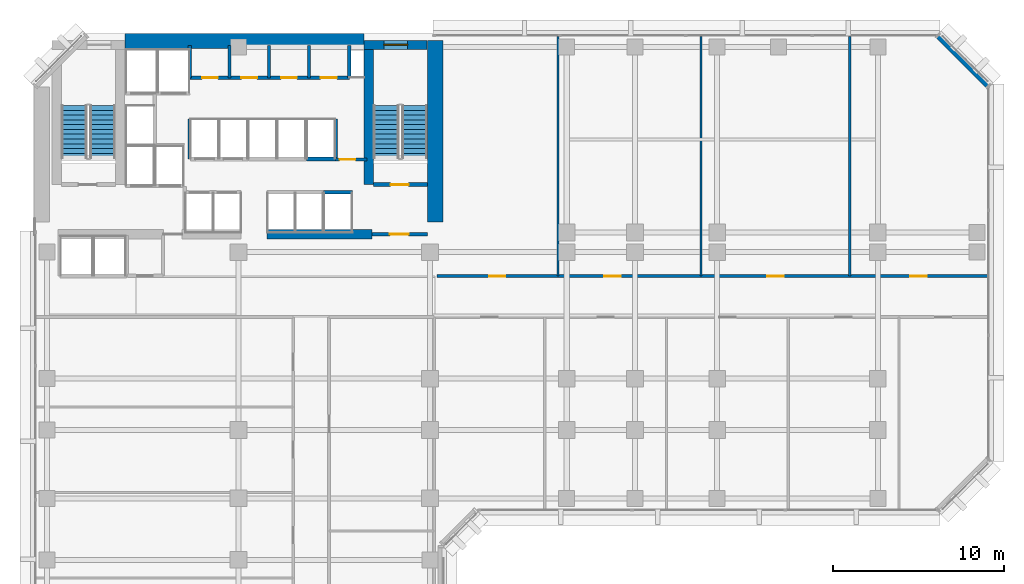
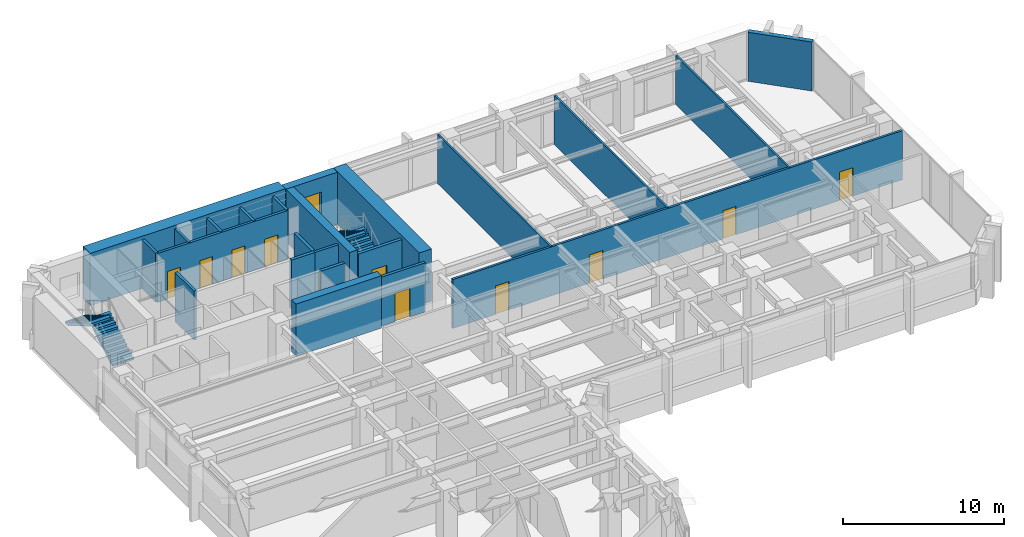
# One storey, part 8 of 13: 23 walls, 11 doors, 4 stair flights, 1 window, 12 openings, 2 elements without a shape of their own.
"""IFC4 building model written with IfcOpenShell, lengths in metres."""

import ifcopenshell
import ifcopenshell.guid

model = None  # the IFC model being written
_history = None  # IfcOwnerHistory: only IFC2X3 demands one
_inside = {}  # id of a spatial element -> (the spatial element, [elements in it])
_under = {}  # id of a project, library or spatial element -> (it, [spatial elements below it])
_declared = {}  # id of a project -> (the project, [libraries it declares])
_typed = {}  # id of a type object -> (the type object, [elements of that type])
_made_of = {}  # id of a material, layer set ... -> (it, [elements and type objects made of it])


def new_model(schema):
    """Start an empty IFC model of exactly this schema.

    Asked for "IFC4X3", IfcOpenShell would pick the latest addendum, in which some entities
    have other attributes; the version numbers below select the first issue.
    IFC2X3 requires an IfcOwnerHistory on every rooted entity: one is made here for all.
    """
    global model, _history
    if schema == "IFC4X3":
        model = ifcopenshell.file(schema_version=(4, 3, 0, 0))
    else:
        model = ifcopenshell.file(schema=schema)
    _inside.clear()
    _under.clear()
    _declared.clear()
    _typed.clear()
    _made_of.clear()
    _history = None
    if model.schema == "IFC2X3":
        org = make("IfcOrganization", Name="unknown")
        user = make(
            "IfcPersonAndOrganization",
            ThePerson=make("IfcPerson", FamilyName="unknown"),
            TheOrganization=org,
        )
        app = make(
            "IfcApplication",
            ApplicationDeveloper=org,
            Version="unknown",
            ApplicationFullName="unknown",
            ApplicationIdentifier="unknown",
        )
        _history = make(
            "IfcOwnerHistory",
            OwningUser=user,
            OwningApplication=app,
            ChangeAction="ADDED",
            CreationDate=0,
        )
    return model


def make(cls, **values):
    """One entity of the class cls with the attributes given. An attribute that is None is left unset."""
    return model.create_entity(
        cls, **{name: value for name, value in values.items() if value is not None}
    )


def rooted(cls, **values):
    """An entity with a GlobalId (a new one), such as an element, a storey or a relation."""
    return make(cls, GlobalId=ifcopenshell.guid.new(), OwnerHistory=_history, **values)


def si_unit(unit_type, name, prefix=None):
    """IfcSIUnit, for example si_unit("LENGTHUNIT", "METRE", prefix="MILLI")."""
    return make("IfcSIUnit", UnitType=unit_type, Prefix=prefix, Name=name)


def assignment(units):
    """IfcUnitAssignment: the units of a project."""
    return None if units is None else make("IfcUnitAssignment", Units=units)


def point(xyz):
    """IfcCartesianPoint."""
    return None if xyz is None else make("IfcCartesianPoint", Coordinates=xyz)


def direction(xyz):
    """IfcDirection."""
    return None if xyz is None else make("IfcDirection", DirectionRatios=xyz)


def frame(location, z_axis=None, x_axis=None):
    """IfcAxis2Placement3D, a coordinate frame: its origin and axes. An axis left out is left unset."""
    return make(
        "IfcAxis2Placement3D",
        Location=point(location),
        Axis=direction(z_axis),
        RefDirection=direction(x_axis),
    )


def frame_2d(location, x_axis=None):
    """IfcAxis2Placement2D, a coordinate frame in the plane: its origin and x axis."""
    return make(
        "IfcAxis2Placement2D", Location=point(location), RefDirection=direction(x_axis)
    )


def origin():
    """The frame at (0, 0, 0) with its axes left unset."""
    return frame((0.0, 0.0, 0.0))


def place(relative_to, where):
    """IfcLocalPlacement: puts the frame where relative to a parent placement (None: the world)."""
    return make(
        "IfcLocalPlacement", PlacementRelTo=relative_to, RelativePlacement=where
    )


def context(
    kind, dimensions, precision=None, world=None, true_north=None, identifier=None
):
    """IfcGeometricRepresentationContext, for example the 3D "Model" context."""
    return make(
        "IfcGeometricRepresentationContext",
        ContextIdentifier=identifier,
        ContextType=kind,
        CoordinateSpaceDimension=dimensions,
        Precision=precision,
        WorldCoordinateSystem=world,
        TrueNorth=true_north,
    )


def subcontext(parent, identifier, kind, view, scale=None):
    """IfcGeometricRepresentationSubContext, for example "Body" below "Model"."""
    return make(
        "IfcGeometricRepresentationSubContext",
        ContextIdentifier=identifier,
        ContextType=kind,
        ParentContext=parent,
        TargetScale=scale,
        TargetView=view,
    )


def project(units=None, contexts=None):
    """IfcProject with its units and contexts."""
    return rooted(
        "IfcProject",
        Name="project",
        RepresentationContexts=contexts,
        UnitsInContext=assignment(units),
    )


def spatial(cls, under=None, at=None, **own):
    """A site, building, storey or space (cls), placed at a placement, below another one or the project."""
    s = rooted(cls, ObjectPlacement=at, **own)
    if under is not None:
        _under.setdefault(under.id(), (under, []))[1].append(s)
    return s


def polyline(points):
    """IfcPolyline through the points."""
    return make("IfcPolyline", Points=[point(p) for p in points])


def profile(cls, at=None, kind="AREA", **sizes):
    """A parametric profile (cls). Its sizes go by their IFC names, for example OverallWidth=200.0."""
    return make(cls, ProfileType=kind, Position=at, **sizes)


def rectangle(**sizes):
    """IfcRectangleProfileDef."""
    return profile("IfcRectangleProfileDef", **sizes)


def outline(outer, holes=None, kind="AREA"):
    """IfcArbitraryClosedProfileDef: a profile drawn as a closed curve; with holes, ...WithVoids."""
    if holes is None:
        return make("IfcArbitraryClosedProfileDef", ProfileType=kind, OuterCurve=outer)
    return make(
        "IfcArbitraryProfileDefWithVoids",
        ProfileType=kind,
        OuterCurve=outer,
        InnerCurves=holes,
    )


def extrude(swept, where, along, depth):
    """IfcExtrudedAreaSolid: the profile swept, set in the frame where, extruded along a direction by depth."""
    return make(
        "IfcExtrudedAreaSolid",
        SweptArea=swept,
        Position=where,
        ExtrudedDirection=direction(along),
        Depth=depth,
    )


def shape(context_of_items, identifier, shape_type, items):
    """IfcShapeRepresentation: the items that make up one representation, for example the "Body"."""
    return make(
        "IfcShapeRepresentation",
        ContextOfItems=context_of_items,
        RepresentationIdentifier=identifier,
        RepresentationType=shape_type,
        Items=items,
    )


def material(Name=None, Category=None):
    """IfcMaterial."""
    return make("IfcMaterial", Name=Name, Category=Category)


def layer(
    of_material, thickness, ventilated=None, Name=None, Category=None, Priority=None
):
    """IfcMaterialLayer: one layer of a wall or slab, of a material (None: an air gap)."""
    return make(
        "IfcMaterialLayer",
        Material=of_material,
        LayerThickness=thickness,
        IsVentilated=ventilated,
        Name=Name,
        Category=Category,
        Priority=Priority,
    )


def layer_set(layers, Name=None):
    """IfcMaterialLayerSet."""
    return make("IfcMaterialLayerSet", MaterialLayers=layers, LayerSetName=Name)


def made_of(thing, what):
    """Note that an element or type object is made of a material, layer set ...; save() writes the relation."""
    if what is not None:
        _made_of.setdefault(what.id(), (what, []))[1].append(thing)
    return thing


def type_object(cls, material=None, **own):
    """A type object (cls), such as IfcWallType, which elements share."""
    return made_of(rooted(cls, **own), material)


def element(
    cls,
    number,
    at=None,
    inside=None,
    cuts=None,
    type_object=None,
    material=None,
    context=None,
    identifier="Body",
    shape_type=None,
    held_by="IfcProductDefinitionShape",
    body=None,
    shapes=None,
    **own,
):
    """One element of the class cls, such as IfcWall. Its Tag is "e" and its number.

    at: its placement. inside: the storey or other place that contains it. cuts: it is an
    opening in that element (IfcRelVoidsElement). A single representation is given by context,
    identifier, shape_type and body (its items); several are given by shapes. held_by: the class
    of the entity that holds the representations. save() writes the other relations.
    """
    e = rooted(cls, Tag="e%d" % number, ObjectPlacement=at, **own)
    if body is not None:
        shapes = [shape(context, identifier, shape_type, body)]
    if shapes is not None:
        e.Representation = make(held_by, Representations=shapes)
    if inside is not None:
        _inside.setdefault(inside.id(), (inside, []))[1].append(e)
    if cuts is not None:
        rooted(
            "IfcRelVoidsElement", RelatingBuildingElement=cuts, RelatedOpeningElement=e
        )
    if type_object is not None:
        _typed.setdefault(type_object.id(), (type_object, []))[1].append(e)
    return made_of(e, material)


def fill(opening, filler):
    """IfcRelFillsElement: the door or window that sits in an opening."""
    return rooted(
        "IfcRelFillsElement",
        RelatingOpeningElement=opening,
        RelatedBuildingElement=filler,
    )


def aggregate(whole, parts):
    """IfcRelAggregates: a whole, such as a stair, and the parts it consists of."""
    return rooted("IfcRelAggregates", RelatingObject=whole, RelatedObjects=parts)


def save(model, path):
    """Write the relations noted so far, then the file.

    IfcRelAggregates (storeys below a building ...), IfcRelContainedInSpatialStructure (elements
    in a storey), IfcRelDefinesByType, IfcRelAssociatesMaterial and IfcRelDeclares: one each for
    every whole, place, type object, material and project.
    """
    for whole, parts in _under.values():
        aggregate(whole, parts)
    for where, things in _inside.values():
        rooted(
            "IfcRelContainedInSpatialStructure",
            RelatedElements=things,
            RelatingStructure=where,
        )
    for kind, things in _typed.values():
        rooted("IfcRelDefinesByType", RelatedObjects=things, RelatingType=kind)
    for what, things in _made_of.values():
        rooted("IfcRelAssociatesMaterial", RelatedObjects=things, RelatingMaterial=what)
    for by, libraries in _declared.values():
        rooted("IfcRelDeclares", RelatingContext=by, RelatedDefinitions=libraries)
    model.write(path)


model = new_model("IFC4")

# Units and contexts
model_context = context("Model", 3, precision=1e-05, world=origin(), true_north=direction((0.0, 1.0)))
body_context = subcontext(model_context, "Body", "Model", "MODEL_VIEW")
ifc_project = project(units=[si_unit("LENGTHUNIT", "METRE"), si_unit("AREAUNIT", "SQUARE_METRE"), si_unit("VOLUMEUNIT", "CUBIC_METRE"), si_unit("PLANEANGLEUNIT", "RADIAN"), si_unit("MASSUNIT", "GRAM", prefix="KILO")], contexts=[model_context])

# Site, building, storey
site_placement = place(None, origin())
site = spatial("IfcSite", under=ifc_project, at=site_placement, CompositionType="ELEMENT")
building_placement = place(site_placement, origin())
building = spatial("IfcBuilding", under=site, at=building_placement, Name="Kefirva Bronze Tower", CompositionType="ELEMENT")
storey_placement = place(building_placement, frame((0.0, 0.0, 58.080078125)))
storey = spatial("IfcBuildingStorey", under=building, at=storey_placement, Name="L13", CompositionType="ELEMENT", Elevation=58.080078125)

# Walls
ifc_material_1 = material(Name="Gypsum acoustic partition")
ifc_layer_1 = layer(ifc_material_1, 0.1298828125, Name="Gypsum acoustic partition")
ifc_layer_set_1 = layer_set([ifc_layer_1], Name="Gypsum acoustic partition")
wall_type_1 = type_object("IfcWallType", Name="Acoustic Office Partition 130mm", PredefinedType="PARTITIONING", material=ifc_layer_set_1)
for number, where, z_axis, x_axis, name in (
    (1, (30.686279296875, 31.800048828125, 0.0), (0.0, 0.0, 1.0), (0.0, 1.0, 0.0), "L13 Partition W-L13-END1"),
    (2, (39.060791015625, 31.800048828125, 0.0), (0.0, 0.0, 1.0), (0.0, 1.0, 0.0), "L13 Partition W-L13-END2"),
    (3, (47.757568359375, 31.800048828125, 0.0), (0.0, 0.0, 1.0), (0.0, 1.0, 0.0), "L13 Partition W-L13-END3"),
):
    element("IfcWall", number, at=place(storey_placement, frame(where, z_axis=z_axis, x_axis=x_axis)), inside=storey, type_object=wall_type_1, Name=name, PredefinedType="PARTITIONING", context=body_context, shape_type="SweptSolid", body=[
        extrude(rectangle(XDim=14.010009765625, YDim=0.1298828125, at=frame_2d((7.0048828125, 0.0))), origin(), (0.0, 0.0, 1.0), 3.7099609375),
    ])

# Wall, opening, door
ifc_material_2 = material(Name="Gypsum fireboard shaftwall")
ifc_layer_2 = layer(ifc_material_2, 0.219970703125, Name="Gypsum fireboard shaftwall")
ifc_layer_set_2 = layer_set([ifc_layer_2], Name="Gypsum fireboard shaftwall")
wall_type_2 = type_object("IfcWallType", Name="Fire-Rated Shaft Enclosure Wall 220mm", PredefinedType="PARTITIONING", material=ifc_layer_set_2)
wall_1_placement = place(storey_placement, frame((19.89990234375, 37.14990234375, 0.0), z_axis=(0.0, 0.0, 1.0), x_axis=(1.0, 0.0, 0.0)))
wall_1 = element("IfcWall", 4, at=wall_1_placement, inside=storey, type_object=wall_type_2, Name="L13 Partition W-L13-ST2S", PredefinedType="PARTITIONING", context=body_context, shape_type="SweptSolid", body=[
    extrude(rectangle(XDim=3.150146484375, YDim=0.219970703125, at=frame_2d((1.5751953125, 0.0))), origin(), (0.0, 0.0, 1.0), 3.7099609375),
])
opening_1_placement = place(wall_1_placement, frame((2.050048828125, 0.0, 0.0), z_axis=(0.0, 0.0, 1.0), x_axis=(-1.0, 0.0, 0.0)))
opening_1 = element("IfcOpeningElement", 5, at=opening_1_placement, cuts=wall_1, Name="Opening L13-D003", PredefinedType="OPENING", context=body_context, shape_type="SweptSolid", body=[
    extrude(rectangle(XDim=1.050048828125, YDim=2.14990234375, at=frame_2d((0.52490234375, 1.074951171875))), frame((0.0, 0.1201171875, 0.0), z_axis=(0.0, -1.0, 0.0), x_axis=(1.0, 0.0, 0.0)), (0.0, 0.0, 1.0), 0.239990234375),
])
ifc_material_3 = material(Name="Painted galvanized steel", Category="steel")
door_type_1 = type_object("IfcDoorType", Name="Fire Stair Enclosure Door 1050x2150 FD90S", OperationType="NOTDEFINED", PredefinedType="DOOR", material=ifc_material_3)
door_1_placement = place(opening_1_placement, origin())
door_1 = element("IfcDoor", 6, at=door_1_placement, inside=storey, type_object=door_type_1, Name="Door L13-D003", OperationType="SINGLE_SWING_LEFT", OverallHeight=2.14990234375, OverallWidth=1.050048828125, PredefinedType="DOOR", context=body_context, shape_type="SweptSolid", body=[
    extrude(rectangle(XDim=1.050048828125, YDim=2.14990234375, at=frame_2d((0.52490234375, 1.074951171875))), frame((0.0, 0.02490234375, 0.0), z_axis=(0.0, -1.0, 0.0), x_axis=(1.0, 0.0, 0.0)), (0.0, 0.0, 1.0), 0.050048828125),
])
fill(opening_1, door_1)

# Walls
for number, where, z_axis, x_axis, name in (
    (7, (9.159912109375, 38.64990234375, 0.0), (0.0, 0.0, 1.0), (0.0, 1.0, 0.0), "L13 Partition W-L13-LP3W"),
    (8, (17.679931640625, 38.64990234375, 0.0), (0.0, 0.0, 1.0), (0.0, 1.0, 0.0), "L13 Partition W-L13-HP2E"),
):
    element("IfcWall", number, at=place(storey_placement, frame(where, z_axis=z_axis, x_axis=x_axis)), inside=storey, type_object=wall_type_2, Name=name, PredefinedType="PARTITIONING", context=body_context, shape_type="SweptSolid", body=[
        extrude(rectangle(XDim=2.35009765625, YDim=0.199951171875, at=frame_2d((1.175048828125, 0.0))), origin(), (0.0, 0.0, 1.0), 3.7099609375),
    ])
wall_2_placement = place(storey_placement, frame((16.97998046875, 36.699951171875, 0.0), z_axis=(0.0, 0.0, 1.0), x_axis=(1.0, 0.0, 0.0)))
element("IfcWall", 9, at=wall_2_placement, inside=storey, type_object=wall_type_2, Name="L13 Partition W-L13-HPS", PredefinedType="PARTITIONING", context=body_context, shape_type="SweptSolid", body=[
    extrude(rectangle(XDim=1.699951171875, YDim=0.219970703125, at=frame_2d((0.85009765625, 0.0))), origin(), (0.0, 0.0, 1.0), 3.7099609375),
])
wall_3_placement = place(storey_placement, frame((15.97998046875, 38.64990234375, 0.0), z_axis=(0.0, 0.0, 1.0), x_axis=(1.0, 0.0, 0.0)))
element("IfcWall", 10, at=wall_3_placement, inside=storey, type_object=wall_type_2, Name="L13 Partition W-L13-HPN", PredefinedType="PARTITIONING", context=body_context, shape_type="SweptSolid", body=[
    extrude(rectangle(XDim=1.719970703125, YDim=0.219970703125, at=frame_2d((0.85986328125, 0.0))), origin(), (0.0, 0.0, 1.0), 3.7099609375),
])

# Wall, opening, door
ifc_material_4 = material(Name="Gypsum fireboard barrier")
ifc_layer_3 = layer(ifc_material_4, 0.199951171875, Name="Gypsum fireboard barrier")
ifc_layer_set_3 = layer_set([ifc_layer_3], Name="Gypsum fireboard barrier")
wall_type_3 = type_object("IfcWallType", Name="Firefighting Lobby Barrier Wall 200mm", PredefinedType="PARTITIONING", material=ifc_layer_set_3)
wall_4_placement = place(storey_placement, frame((19.800048828125, 34.25, 0.0), z_axis=(0.0, 0.0, 1.0), x_axis=(1.0, 0.0, 0.0)))
wall_4 = element("IfcWall", 11, at=wall_4_placement, inside=storey, type_object=wall_type_3, Name="L13 Partition W-L13-ST2F", PredefinedType="PARTITIONING", context=body_context, shape_type="SweptSolid", body=[
    extrude(rectangle(XDim=3.25, YDim=0.199951171875, at=frame_2d((1.625, 0.0))), origin(), (0.0, 0.0, 1.0), 3.7099609375),
])
opening_2_placement = place(wall_4_placement, frame((2.150146484375, 0.0, 0.0), z_axis=(0.0, 0.0, 1.0), x_axis=(-1.0, 0.0, 0.0)))
opening_2 = element("IfcOpeningElement", 12, at=opening_2_placement, cuts=wall_4, Name="Opening L13-D004", PredefinedType="OPENING", context=body_context, shape_type="SweptSolid", body=[
    extrude(rectangle(XDim=1.10009765625, YDim=2.14990234375, at=frame_2d((0.550048828125, 1.074951171875))), frame((0.0, 0.10986328125, 0.0), z_axis=(0.0, -1.0, 0.0), x_axis=(1.0, 0.0, 0.0)), (0.0, 0.0, 1.0), 0.219970703125),
])
door_type_2 = type_object("IfcDoorType", Name="Firefighting Lobby Smoke Door 1100x2150 FD60S", OperationType="NOTDEFINED", PredefinedType="DOOR", material=ifc_material_3)
door_2_placement = place(opening_2_placement, origin())
door_2 = element("IfcDoor", 13, at=door_2_placement, inside=storey, type_object=door_type_2, Name="Door L13-D004", OperationType="SINGLE_SWING_RIGHT", OverallHeight=2.14990234375, OverallWidth=1.10009765625, PredefinedType="DOOR", context=body_context, shape_type="SweptSolid", body=[
    extrude(rectangle(XDim=1.10009765625, YDim=2.14990234375, at=frame_2d((0.550048828125, 1.074951171875))), frame((0.0, 0.02490234375, 0.0), z_axis=(0.0, -1.0, 0.0), x_axis=(1.0, 0.0, 0.0)), (0.0, 0.0, 1.0), 0.050048828125),
])
fill(opening_2, door_2)

wall_5_placement = place(storey_placement, frame((17.679931640625, 38.6201171875, 0.0), z_axis=(0.0, 0.0, 1.0), x_axis=(1.0, 0.0, 0.0)))
wall_5 = element("IfcWall", 14, at=wall_5_placement, inside=storey, type_object=wall_type_3, Name="L13 Partition W-L13-CPASS", PredefinedType="PARTITIONING", context=body_context, shape_type="SweptSolid", body=[
    extrude(rectangle(XDim=1.840087890625, YDim=0.179931640625, at=frame_2d((0.919921875, 0.0))), origin(), (0.0, 0.0, 1.0), 3.7099609375),
])
opening_3_placement = place(wall_5_placement, frame((0.239990234375, 0.0, 0.0)))
opening_3 = element("IfcOpeningElement", 15, at=opening_3_placement, cuts=wall_5, Name="Opening L13-D-CPAS", PredefinedType="OPENING", context=body_context, shape_type="SweptSolid", body=[
    extrude(rectangle(XDim=0.919921875, YDim=2.10009765625, at=frame_2d((0.4599609375, 1.050048828125))), frame((0.0, 0.10009765625, 0.0), z_axis=(0.0, -1.0, 0.0), x_axis=(1.0, 0.0, 0.0)), (0.0, 0.0, 1.0), 0.199951171875),
])
ifc_material_5 = material(Name="Moisture-resistant timber", Category="wood")
door_type_3 = type_object("IfcDoorType", Name="Accessible Sanitary & WC Door 920x2100", OperationType="NOTDEFINED", PredefinedType="DOOR", material=ifc_material_5)
door_3_placement = place(opening_3_placement, origin())
door_3 = element("IfcDoor", 16, at=door_3_placement, inside=storey, type_object=door_type_3, Name="Door L13-D-CPAS", OperationType="SINGLE_SWING_LEFT", OverallHeight=2.10009765625, OverallWidth=0.919921875, PredefinedType="DOOR", context=body_context, shape_type="SweptSolid", body=[
    extrude(rectangle(XDim=0.919921875, YDim=2.10009765625, at=frame_2d((0.4599609375, 1.050048828125))), frame((0.0, 0.02490234375, 0.0), z_axis=(0.0, -1.0, 0.0), x_axis=(1.0, 0.0, 0.0)), (0.0, 0.0, 1.0), 0.050048828125),
])
fill(opening_3, door_3)

# Wall
ifc_material_6 = material(Name="Precast concrete C40/50", Category="concrete")
ifc_layer_4 = layer(ifc_material_6, 0.320068359375, Name="Precast concrete C40/50")
ifc_layer_set_4 = layer_set([ifc_layer_4], Name="Precast concrete C40/50")
wall_type_4 = type_object("IfcWallType", Name="Precast Insulated Exterior Wall 320mm", PredefinedType="SOLIDWALL", material=ifc_layer_set_4)
wall_6_placement = place(storey_placement, frame((55.847900390625, 42.92578125, 0.0), z_axis=(0.0, 0.0, 1.0), x_axis=(-0.707106781187, 0.707106781187, 0.0)))
element("IfcWall", 17, at=wall_6_placement, inside=storey, type_object=wall_type_4, Name="L13 Exterior Facade Wall 5", PredefinedType="SOLIDWALL", context=body_context, shape_type="SweptSolid", body=[
    extrude(rectangle(XDim=4.132568359375, YDim=0.320068359375, at=frame_2d((2.06640625, 0.0))), origin(), (0.0, 0.0, 1.0), 3.7099609375),
])

# Wall, openings, doors
ifc_layer_5 = layer(ifc_material_1, 0.159912109375, Name="Gypsum acoustic partition")
ifc_layer_set_5 = layer_set([ifc_layer_5], Name="Gypsum acoustic partition")
wall_type_5 = type_object("IfcWallType", Name="Protected Corridor Partition 160mm", PredefinedType="PARTITIONING", material=ifc_layer_set_5)
wall_7_placement = place(storey_placement, frame((23.60009765625, 31.800048828125, 0.0), z_axis=(0.0, 0.0, 1.0), x_axis=(1.0, 0.0, 0.0)))
wall_7 = element("IfcWall", 18, at=wall_7_placement, inside=storey, type_object=wall_type_5, Name="L13 Partition W-L13-EWN", PredefinedType="PARTITIONING", context=body_context, shape_type="SweptSolid", body=[
    extrude(rectangle(XDim=32.2099609375, YDim=0.159912109375, at=frame_2d((16.10498046875, 0.0))), origin(), (0.0, 0.0, 1.0), 3.7099609375),
])
opening_4_placement = place(wall_7_placement, frame((3.068115234375, 0.0, 0.0)))
opening_4 = element("IfcOpeningElement", 19, at=opening_4_placement, cuts=wall_7, Name="Opening L13-D-EN1", PredefinedType="OPENING", context=body_context, shape_type="SweptSolid", body=[
    extrude(rectangle(XDim=0.949951171875, YDim=2.14990234375, at=frame_2d((0.47509765625, 1.074951171875))), frame((0.0, 0.08984375, 0.0), z_axis=(0.0, -1.0, 0.0), x_axis=(1.0, 0.0, 0.0)), (0.0, 0.0, 1.0), 0.179931640625),
])
opening_5_placement = place(wall_7_placement, frame((9.798583984375, 0.0, 0.0)))
opening_5 = element("IfcOpeningElement", 20, at=opening_5_placement, cuts=wall_7, Name="Opening L13-D-EN2", PredefinedType="OPENING", context=body_context, shape_type="SweptSolid", body=[
    extrude(rectangle(XDim=0.949951171875, YDim=2.14990234375, at=frame_2d((0.47509765625, 1.074951171875))), frame((0.0, 0.08984375, 0.0), z_axis=(0.0, -1.0, 0.0), x_axis=(1.0, 0.0, 0.0)), (0.0, 0.0, 1.0), 0.179931640625),
])
opening_6_placement = place(wall_7_placement, frame((19.333984375, 0.0, 0.0)))
opening_6 = element("IfcOpeningElement", 21, at=opening_6_placement, cuts=wall_7, Name="Opening L13-D-EN3", PredefinedType="OPENING", context=body_context, shape_type="SweptSolid", body=[
    extrude(rectangle(XDim=0.949951171875, YDim=2.14990234375, at=frame_2d((0.47509765625, 1.074951171875))), frame((0.0, 0.08984375, 0.0), z_axis=(0.0, -1.0, 0.0), x_axis=(1.0, 0.0, 0.0)), (0.0, 0.0, 1.0), 0.179931640625),
])
opening_7_placement = place(wall_7_placement, frame((27.708740234375, 0.0, 0.0)))
opening_7 = element("IfcOpeningElement", 22, at=opening_7_placement, cuts=wall_7, Name="Opening L13-D-EN4", PredefinedType="OPENING", context=body_context, shape_type="SweptSolid", body=[
    extrude(rectangle(XDim=0.949951171875, YDim=2.14990234375, at=frame_2d((0.47509765625, 1.074951171875))), frame((0.0, 0.08984375, 0.0), z_axis=(0.0, -1.0, 0.0), x_axis=(1.0, 0.0, 0.0)), (0.0, 0.0, 1.0), 0.179931640625),
])
ifc_material_7 = material(Name="Acoustic hardwood oak", Category="wood")
door_type_4 = type_object("IfcDoorType", Name="Office & Meeting Room Door 950x2150", OperationType="NOTDEFINED", PredefinedType="DOOR", material=ifc_material_7)
door_4_placement = place(opening_4_placement, origin())
door_4 = element("IfcDoor", 23, at=door_4_placement, inside=storey, type_object=door_type_4, Name="Door L13-D-EN1", OperationType="SINGLE_SWING_RIGHT", OverallHeight=2.14990234375, OverallWidth=0.949951171875, PredefinedType="DOOR", context=body_context, shape_type="SweptSolid", body=[
    extrude(rectangle(XDim=0.949951171875, YDim=2.14990234375, at=frame_2d((0.47509765625, 1.074951171875))), frame((0.0, 0.02490234375, 0.0), z_axis=(0.0, -1.0, 0.0), x_axis=(1.0, 0.0, 0.0)), (0.0, 0.0, 1.0), 0.050048828125),
])
fill(opening_4, door_4)
door_5_placement = place(opening_5_placement, origin())
door_5 = element("IfcDoor", 24, at=door_5_placement, inside=storey, type_object=door_type_4, Name="Door L13-D-EN2", OperationType="SINGLE_SWING_LEFT", OverallHeight=2.14990234375, OverallWidth=0.949951171875, PredefinedType="DOOR", context=body_context, shape_type="SweptSolid", body=[
    extrude(rectangle(XDim=0.949951171875, YDim=2.14990234375, at=frame_2d((0.47509765625, 1.074951171875))), frame((0.0, 0.02490234375, 0.0), z_axis=(0.0, -1.0, 0.0), x_axis=(1.0, 0.0, 0.0)), (0.0, 0.0, 1.0), 0.050048828125),
])
fill(opening_5, door_5)
door_6_placement = place(opening_6_placement, origin())
door_6 = element("IfcDoor", 25, at=door_6_placement, inside=storey, type_object=door_type_4, Name="Door L13-D-EN3", OperationType="SINGLE_SWING_RIGHT", OverallHeight=2.14990234375, OverallWidth=0.949951171875, PredefinedType="DOOR", context=body_context, shape_type="SweptSolid", body=[
    extrude(rectangle(XDim=0.949951171875, YDim=2.14990234375, at=frame_2d((0.47509765625, 1.074951171875))), frame((0.0, 0.02490234375, 0.0), z_axis=(0.0, -1.0, 0.0), x_axis=(1.0, 0.0, 0.0)), (0.0, 0.0, 1.0), 0.050048828125),
])
fill(opening_6, door_6)
door_7_placement = place(opening_7_placement, origin())
door_7 = element("IfcDoor", 26, at=door_7_placement, inside=storey, type_object=door_type_4, Name="Door L13-D-EN4", OperationType="SINGLE_SWING_LEFT", OverallHeight=2.14990234375, OverallWidth=0.949951171875, PredefinedType="DOOR", context=body_context, shape_type="SweptSolid", body=[
    extrude(rectangle(XDim=0.949951171875, YDim=2.14990234375, at=frame_2d((0.47509765625, 1.074951171875))), frame((0.0, 0.02490234375, 0.0), z_axis=(0.0, -1.0, 0.0), x_axis=(1.0, 0.0, 0.0)), (0.0, 0.0, 1.0), 0.050048828125),
])
fill(opening_7, door_7)

# Wall, opening, window
ifc_material_8 = material(Name="Concrete C50/60", Category="concrete")
ifc_layer_6 = layer(ifc_material_8, 0.550048828125, Name="Concrete C50/60")
ifc_layer_set_6 = layer_set([ifc_layer_6], Name="Concrete C50/60")
wall_type_6 = type_object("IfcWallType", Name="RC Rear Core Exterior Wall 550mm", PredefinedType="SHEAR", material=ifc_layer_set_6)
wall_8_placement = place(storey_placement, frame((19.35009765625, 45.320068359375, 0.0), z_axis=(0.0, 0.0, 1.0), x_axis=(1.0, 0.0, 0.0)))
wall_8 = element("IfcWall", 27, at=wall_8_placement, inside=storey, type_object=wall_type_6, Name="L13 Stair 2 North Shear Wall", PredefinedType="SHEAR", context=body_context, shape_type="SweptSolid", body=[
    extrude(rectangle(XDim=3.68994140625, YDim=0.550048828125, at=frame_2d((1.844970703125, 0.0))), origin(), (0.0, 0.0, 1.0), 3.9599609375),
])
opening_8_placement = place(wall_8_placement, frame((1.14990234375, 0.0, 1.050048828125)))
opening_8 = element("IfcOpeningElement", 28, at=opening_8_placement, cuts=wall_8, Name="Opening WN-03", PredefinedType="OPENING", context=body_context, shape_type="SweptSolid", body=[
    extrude(rectangle(XDim=1.39990234375, YDim=1.800048828125, at=frame_2d((0.699951171875, 0.89990234375))), frame((0.0, 0.28515625, 0.0), z_axis=(0.0, -1.0, 0.0), x_axis=(1.0, 0.0, 0.0)), (0.0, 0.0, 1.0), 0.570068359375),
])
ifc_material_9 = material(Name="Laminated low-E double glazing", Category="glass")
window_type = type_object("IfcWindowType", Name="Rear-Core Stair Daylight Window 1400x1800", PartitioningType="SINGLE_PANEL", PredefinedType="WINDOW", material=ifc_material_9)
window_placement = place(opening_8_placement, origin())
window = element("IfcWindow", 29, at=window_placement, inside=storey, type_object=window_type, Name="L13 Stair 2 Daylight Window", OverallHeight=1.800048828125, OverallWidth=1.39990234375, PartitioningType="SINGLE_PANEL", PredefinedType="WINDOW", context=body_context, shape_type="SweptSolid", body=[
    extrude(rectangle(XDim=1.39990234375, YDim=1.800048828125, at=frame_2d((0.699951171875, 0.89990234375))), frame((0.0, 0.030029296875, 0.0), z_axis=(0.0, -1.0, 0.0), x_axis=(1.0, 0.0, 0.0)), (0.0, 0.0, 1.0), 0.06005859375),
])
fill(opening_8, window)

# Walls
ifc_material_10 = material(Name="Concrete C60/75", Category="concrete")
ifc_layer_7 = layer(ifc_material_10, 0.89990234375, Name="Concrete C60/75")
ifc_layer_set_7 = layer_set([ifc_layer_7], Name="Concrete C60/75")
wall_type_7 = type_object("IfcWallType", Name="RC Rear Core Exterior Wall 900mm", PredefinedType="SHEAR", material=ifc_layer_set_7)
wall_9_placement = place(storey_placement, frame((5.360107421875, 45.550048828125, 0.0), z_axis=(0.0, 0.0, 1.0), x_axis=(1.0, 0.0, 0.0)))
element("IfcWall", 30, at=wall_9_placement, inside=storey, type_object=wall_type_7, Name="L13 Rear Core North Shear Wall", PredefinedType="SHEAR", context=body_context, shape_type="SweptSolid", body=[
    extrude(rectangle(XDim=13.97998046875, YDim=0.89990234375, at=frame_2d((6.989990234375, 0.0))), origin(), (0.0, 0.0, 1.0), 3.9599609375),
])
ifc_layer_8 = layer(ifc_material_8, 0.550048828125, Name="Concrete C50/60")
ifc_layer_set_8 = layer_set([ifc_layer_8], Name="Concrete C50/60")
wall_type_8 = type_object("IfcWallType", Name="RC Rear Core Interior Wall 550mm", PredefinedType="SHEAR", material=ifc_layer_set_8)
wall_10_placement = place(storey_placement, frame((19.6201171875, 37.14990234375, 0.0), z_axis=(0.0, 0.0, 1.0), x_axis=(0.0, 1.0, 0.0)))
element("IfcWall", 31, at=wall_10_placement, inside=storey, type_object=wall_type_8, Name="L13 Stair 2 West Shear Wall", PredefinedType="SHEAR", context=body_context, shape_type="SweptSolid", body=[
    extrude(rectangle(XDim=7.89013671875, YDim=0.550048828125, at=frame_2d((3.945068359375, 0.0))), origin(), (0.0, 0.0, 1.0), 3.9599609375),
])
ifc_layer_9 = layer(ifc_material_10, 0.89990234375, Name="Concrete C60/75")
ifc_layer_set_9 = layer_set([ifc_layer_9], Name="Concrete C60/75")
wall_type_9 = type_object("IfcWallType", Name="RC Rear Core Interior Wall 900mm", PredefinedType="SHEAR", material=ifc_layer_set_9)
wall_11_placement = place(storey_placement, frame((23.5, 34.949951171875, 0.0), z_axis=(0.0, 0.0, 1.0), x_axis=(0.0, 1.0, 0.0)))
element("IfcWall", 32, at=wall_11_placement, inside=storey, type_object=wall_type_9, Name="L13 Rear Core East Shear Wall", PredefinedType="SHEAR", context=body_context, shape_type="SweptSolid", body=[
    extrude(rectangle(XDim=10.64013671875, YDim=0.89990234375, at=frame_2d((5.320068359375, 0.0))), origin(), (0.0, 0.0, 1.0), 3.9599609375),
])
wall_12_placement = place(storey_placement, frame((13.679931640625, 34.25, 0.0), z_axis=(0.0, 0.0, 1.0), x_axis=(1.0, 0.0, 0.0)))
element("IfcWall", 33, at=wall_12_placement, inside=storey, type_object=wall_type_9, Name="L13 Rear Core South-East Shear Wall", PredefinedType="SHEAR", context=body_context, shape_type="SweptSolid", body=[
    extrude(rectangle(XDim=6.1201171875, YDim=0.550048828125, at=frame_2d((3.06005859375, 0.0))), origin(), (0.0, 0.0, 1.0), 3.9599609375),
])

# Wall, openings, doors
ifc_material_11 = material(Name="Moisture-resistant partition")
ifc_layer_10 = layer(ifc_material_11, 0.179931640625, Name="Moisture-resistant partition")
ifc_layer_set_10 = layer_set([ifc_layer_10], Name="Moisture-resistant partition")
wall_type_10 = type_object("IfcWallType", Name="Sanitary Plumbing Chase Wall 180mm", PredefinedType="PLUMBINGWALL", material=ifc_layer_set_10)
wall_13_placement = place(storey_placement, frame((9.14990234375, 43.39990234375, 0.0), z_axis=(0.0, 0.0, 1.0), x_axis=(1.0, 0.0, 0.0)))
wall_13 = element("IfcWall", 34, at=wall_13_placement, inside=storey, type_object=wall_type_10, Name="L13 Partition W-L13-SVCS", PredefinedType="PLUMBINGWALL", context=body_context, shape_type="SweptSolid", body=[
    extrude(rectangle(XDim=9.330078125, YDim=0.179931640625, at=frame_2d((4.6650390625, 0.0))), origin(), (0.0, 0.0, 1.0), 3.7099609375),
])
opening_9_placement = place(wall_13_placement, frame((0.719970703125, 0.0, 0.0)))
opening_9 = element("IfcOpeningElement", 35, at=opening_9_placement, cuts=wall_13, Name="Opening L13-D-CSVC1", PredefinedType="OPENING", context=body_context, shape_type="SweptSolid", body=[
    extrude(rectangle(XDim=0.919921875, YDim=2.10009765625, at=frame_2d((0.4599609375, 1.050048828125))), frame((0.0, 0.10009765625, 0.0), z_axis=(0.0, -1.0, 0.0), x_axis=(1.0, 0.0, 0.0)), (0.0, 0.0, 1.0), 0.199951171875),
])
opening_10_placement = place(wall_13_placement, frame((3.02001953125, 0.0, 0.0)))
opening_10 = element("IfcOpeningElement", 36, at=opening_10_placement, cuts=wall_13, Name="Opening L13-D-CSVC2", PredefinedType="OPENING", context=body_context, shape_type="SweptSolid", body=[
    extrude(rectangle(XDim=0.919921875, YDim=2.10009765625, at=frame_2d((0.4599609375, 1.050048828125))), frame((0.0, 0.10009765625, 0.0), z_axis=(0.0, -1.0, 0.0), x_axis=(1.0, 0.0, 0.0)), (0.0, 0.0, 1.0), 0.199951171875),
])
opening_11_placement = place(wall_13_placement, frame((5.340087890625, 0.0, 0.0)))
opening_11 = element("IfcOpeningElement", 37, at=opening_11_placement, cuts=wall_13, Name="Opening L13-D-CSVC3", PredefinedType="OPENING", context=body_context, shape_type="SweptSolid", body=[
    extrude(rectangle(XDim=0.919921875, YDim=2.10009765625, at=frame_2d((0.4599609375, 1.050048828125))), frame((0.0, 0.10009765625, 0.0), z_axis=(0.0, -1.0, 0.0), x_axis=(1.0, 0.0, 0.0)), (0.0, 0.0, 1.0), 0.199951171875),
])
opening_12_placement = place(wall_13_placement, frame((7.659912109375, 0.0, 0.0)))
opening_12 = element("IfcOpeningElement", 38, at=opening_12_placement, cuts=wall_13, Name="Opening L13-D-CSVC4", PredefinedType="OPENING", context=body_context, shape_type="SweptSolid", body=[
    extrude(rectangle(XDim=0.949951171875, YDim=2.10009765625, at=frame_2d((0.47509765625, 1.050048828125))), frame((0.0, 0.10009765625, 0.0), z_axis=(0.0, -1.0, 0.0), x_axis=(1.0, 0.0, 0.0)), (0.0, 0.0, 1.0), 0.199951171875),
])
door_8_placement = place(opening_9_placement, origin())
door_8 = element("IfcDoor", 39, at=door_8_placement, inside=storey, type_object=door_type_3, Name="Door L13-D-CSVC1", OperationType="SINGLE_SWING_LEFT", OverallHeight=2.10009765625, OverallWidth=0.919921875, PredefinedType="DOOR", context=body_context, shape_type="SweptSolid", body=[
    extrude(rectangle(XDim=0.919921875, YDim=2.10009765625, at=frame_2d((0.4599609375, 1.050048828125))), frame((0.0, 0.02490234375, 0.0), z_axis=(0.0, -1.0, 0.0), x_axis=(1.0, 0.0, 0.0)), (0.0, 0.0, 1.0), 0.050048828125),
])
fill(opening_9, door_8)
door_9_placement = place(opening_10_placement, origin())
door_9 = element("IfcDoor", 40, at=door_9_placement, inside=storey, type_object=door_type_3, Name="Door L13-D-CSVC2", OperationType="SINGLE_SWING_RIGHT", OverallHeight=2.10009765625, OverallWidth=0.919921875, PredefinedType="DOOR", context=body_context, shape_type="SweptSolid", body=[
    extrude(rectangle(XDim=0.919921875, YDim=2.10009765625, at=frame_2d((0.4599609375, 1.050048828125))), frame((0.0, 0.02490234375, 0.0), z_axis=(0.0, -1.0, 0.0), x_axis=(1.0, 0.0, 0.0)), (0.0, 0.0, 1.0), 0.050048828125),
])
fill(opening_10, door_9)
door_10_placement = place(opening_11_placement, origin())
door_10 = element("IfcDoor", 41, at=door_10_placement, inside=storey, type_object=door_type_3, Name="Door L13-D-CSVC3", OperationType="SINGLE_SWING_LEFT", OverallHeight=2.10009765625, OverallWidth=0.919921875, PredefinedType="DOOR", context=body_context, shape_type="SweptSolid", body=[
    extrude(rectangle(XDim=0.919921875, YDim=2.10009765625, at=frame_2d((0.4599609375, 1.050048828125))), frame((0.0, 0.02490234375, 0.0), z_axis=(0.0, -1.0, 0.0), x_axis=(1.0, 0.0, 0.0)), (0.0, 0.0, 1.0), 0.050048828125),
])
fill(opening_11, door_10)
door_type_5 = type_object("IfcDoorType", Name="Riser & Plant Shaft Fire Door 950x2100 FD60S", OperationType="NOTDEFINED", PredefinedType="DOOR", material=ifc_material_3)
door_11_placement = place(opening_12_placement, origin())
door_11 = element("IfcDoor", 42, at=door_11_placement, inside=storey, type_object=door_type_5, Name="Door L13-D-CSVC4", OperationType="SINGLE_SWING_RIGHT", OverallHeight=2.10009765625, OverallWidth=0.949951171875, PredefinedType="DOOR", context=body_context, shape_type="SweptSolid", body=[
    extrude(rectangle(XDim=0.949951171875, YDim=2.10009765625, at=frame_2d((0.47509765625, 1.050048828125))), frame((0.0, 0.02490234375, 0.0), z_axis=(0.0, -1.0, 0.0), x_axis=(1.0, 0.0, 0.0)), (0.0, 0.0, 1.0), 0.050048828125),
])
fill(opening_12, door_11)

# Walls
for number, where, z_axis, x_axis, name in (
    (43, (9.14990234375, 43.39990234375, 0.0), (0.0, 0.0, 1.0), (0.0, 1.0, 0.0), "L13 Partition W-L13-SVCW"),
    (44, (18.47998046875, 43.39990234375, 0.0), (0.0, 0.0, 1.0), (0.0, 1.0, 0.0), "L13 Partition W-L13-SVCE"),
    (45, (11.47998046875, 43.39990234375, 0.0), (0.0, 0.0, 1.0), (0.0, 1.0, 0.0), "L13 Partition W-L13-CSVD-1"),
    (46, (13.780029296875, 43.39990234375, 0.0), (0.0, 0.0, 1.0), (0.0, 1.0, 0.0), "L13 Partition W-L13-CSVD-2"),
    (47, (16.1201171875, 43.39990234375, 0.0), (0.0, 0.0, 1.0), (0.0, 1.0, 0.0), "L13 Partition W-L13-CSVD-3"),
):
    element("IfcWall", number, at=place(storey_placement, frame(where, z_axis=z_axis, x_axis=x_axis)), inside=storey, type_object=wall_type_10, Name=name, PredefinedType="PLUMBINGWALL", context=body_context, shape_type="SweptSolid", body=[
        extrude(rectangle(XDim=1.880126953125, YDim=0.179931640625, at=frame_2d((0.93994140625, 0.0))), origin(), (0.0, 0.0, 1.0), 3.7099609375),
    ])

# Stair, stair flights
ifc_material_12 = material(Name="Concrete C40/50", Category="concrete")
stair_type = type_object("IfcStairType", Name="RC Dogleg Protected Stair 24R", PredefinedType="HALF_TURN_STAIR", material=ifc_material_12)
stair_1_placement = place(storey_placement, origin())
stair_1 = element("IfcStair", 48, at=stair_1_placement, inside=storey, type_object=stair_type, Name="L13 Protected Exit Stair 1", PredefinedType="HALF_TURN_STAIR")
stair_flight_type = type_object("IfcStairFlightType", Name="RC Straight Stair Flight 24R", PredefinedType="STRAIGHT", material=ifc_material_12)
stair_flight_1_placement = place(storey_placement, frame((4.050048828125, 38.699951171875, 0.0), z_axis=(0.0, 0.0, 1.0), x_axis=(0.0, 1.0, 0.0)))
stair_flight_1 = element("IfcStairFlight", 49, at=stair_flight_1_placement, type_object=stair_flight_type, Name="ST-1 flight 1", NumberOfRisers=12, NumberOfTreads=11, PredefinedType="STRAIGHT", RiserHeight=0.165, TreadLength=0.28, context=body_context, shape_type="SweptSolid", body=[
    extrude(outline(polyline([(0.0, 0.0), (0.0, 0.1650390625), (0.280029296875, 0.1650390625), (0.280029296875, 0.330078125), (0.56005859375, 0.330078125), (0.56005859375, 0.4951171875), (0.840087890625, 0.4951171875), (0.840087890625, 0.659912109375), (1.1201171875, 0.659912109375), (1.1201171875, 0.824951171875), (1.39990234375, 0.824951171875), (1.39990234375, 0.989990234375), (1.679931640625, 0.989990234375), (1.679931640625, 1.155029296875), (1.9599609375, 1.155029296875), (1.9599609375, 1.320068359375), (2.239990234375, 1.320068359375), (2.239990234375, 1.485107421875), (2.52001953125, 1.485107421875), (2.52001953125, 1.64990234375), (2.800048828125, 1.64990234375), (2.800048828125, 1.81494140625), (3.080078125, 1.81494140625), (3.080078125, 1.97998046875), (3.080078125, 1.64111328125), (0.295166015625, 0.0), (0.0, 0.0)])), frame((0.0, 0.75, 0.0), z_axis=(0.0, -1.0, 0.0), x_axis=(1.0, 0.0, 0.0)), (0.0, 0.0, 1.0), 1.5),
])
stair_flight_2_placement = place(storey_placement, frame((2.39990234375, 41.780029296875, 1.97998046875), z_axis=(0.0, 0.0, 1.0), x_axis=(0.0, -1.0, 0.0)))
stair_flight_2 = element("IfcStairFlight", 50, at=stair_flight_2_placement, type_object=stair_flight_type, Name="ST-1 flight 2", NumberOfRisers=12, NumberOfTreads=11, PredefinedType="STRAIGHT", RiserHeight=0.165, TreadLength=0.28, context=body_context, shape_type="SweptSolid", body=[
    extrude(outline(polyline([(0.0, 0.0), (0.0, 0.1650390625), (0.280029296875, 0.1650390625), (0.280029296875, 0.330078125), (0.56005859375, 0.330078125), (0.56005859375, 0.4951171875), (0.840087890625, 0.4951171875), (0.840087890625, 0.659912109375), (1.1201171875, 0.659912109375), (1.1201171875, 0.824951171875), (1.39990234375, 0.824951171875), (1.39990234375, 0.989990234375), (1.679931640625, 0.989990234375), (1.679931640625, 1.155029296875), (1.9599609375, 1.155029296875), (1.9599609375, 1.320068359375), (2.239990234375, 1.320068359375), (2.239990234375, 1.485107421875), (2.52001953125, 1.485107421875), (2.52001953125, 1.64990234375), (2.800048828125, 1.64990234375), (2.800048828125, 1.81494140625), (3.080078125, 1.81494140625), (3.080078125, 1.97998046875), (3.080078125, 1.64111328125), (0.295166015625, 0.0), (0.0, 0.0)])), frame((0.0, 0.75, 0.0), z_axis=(0.0, -1.0, 0.0), x_axis=(1.0, 0.0, 0.0)), (0.0, 0.0, 1.0), 1.5),
])
aggregate(stair_1, [stair_flight_1, stair_flight_2])

stair_2_placement = place(storey_placement, origin())
stair_2 = element("IfcStair", 51, at=stair_2_placement, inside=storey, type_object=stair_type, Name="L13 Protected Exit Stair 2", PredefinedType="HALF_TURN_STAIR")
stair_flight_3_placement = place(storey_placement, frame((22.300048828125, 38.699951171875, 0.0), z_axis=(0.0, 0.0, 1.0), x_axis=(0.0, 1.0, 0.0)))
stair_flight_3 = element("IfcStairFlight", 52, at=stair_flight_3_placement, type_object=stair_flight_type, Name="ST-2 flight 1", NumberOfRisers=12, NumberOfTreads=11, PredefinedType="STRAIGHT", RiserHeight=0.165, TreadLength=0.28, context=body_context, shape_type="SweptSolid", body=[
    extrude(outline(polyline([(0.0, 0.0), (0.0, 0.1650390625), (0.280029296875, 0.1650390625), (0.280029296875, 0.330078125), (0.56005859375, 0.330078125), (0.56005859375, 0.4951171875), (0.840087890625, 0.4951171875), (0.840087890625, 0.659912109375), (1.1201171875, 0.659912109375), (1.1201171875, 0.824951171875), (1.39990234375, 0.824951171875), (1.39990234375, 0.989990234375), (1.679931640625, 0.989990234375), (1.679931640625, 1.155029296875), (1.9599609375, 1.155029296875), (1.9599609375, 1.320068359375), (2.239990234375, 1.320068359375), (2.239990234375, 1.485107421875), (2.52001953125, 1.485107421875), (2.52001953125, 1.64990234375), (2.800048828125, 1.64990234375), (2.800048828125, 1.81494140625), (3.080078125, 1.81494140625), (3.080078125, 1.97998046875), (3.080078125, 1.64111328125), (0.295166015625, 0.0), (0.0, 0.0)])), frame((0.0, 0.75, 0.0), z_axis=(0.0, -1.0, 0.0), x_axis=(1.0, 0.0, 0.0)), (0.0, 0.0, 1.0), 1.5),
])
stair_flight_4_placement = place(storey_placement, frame((20.64990234375, 41.780029296875, 1.97998046875), z_axis=(0.0, 0.0, 1.0), x_axis=(0.0, -1.0, 0.0)))
stair_flight_4 = element("IfcStairFlight", 53, at=stair_flight_4_placement, type_object=stair_flight_type, Name="ST-2 flight 2", NumberOfRisers=12, NumberOfTreads=11, PredefinedType="STRAIGHT", RiserHeight=0.165, TreadLength=0.28, context=body_context, shape_type="SweptSolid", body=[
    extrude(outline(polyline([(0.0, 0.0), (0.0, 0.1650390625), (0.280029296875, 0.1650390625), (0.280029296875, 0.330078125), (0.56005859375, 0.330078125), (0.56005859375, 0.4951171875), (0.840087890625, 0.4951171875), (0.840087890625, 0.659912109375), (1.1201171875, 0.659912109375), (1.1201171875, 0.824951171875), (1.39990234375, 0.824951171875), (1.39990234375, 0.989990234375), (1.679931640625, 0.989990234375), (1.679931640625, 1.155029296875), (1.9599609375, 1.155029296875), (1.9599609375, 1.320068359375), (2.239990234375, 1.320068359375), (2.239990234375, 1.485107421875), (2.52001953125, 1.485107421875), (2.52001953125, 1.64990234375), (2.800048828125, 1.64990234375), (2.800048828125, 1.81494140625), (3.080078125, 1.81494140625), (3.080078125, 1.97998046875), (3.080078125, 1.64111328125), (0.295166015625, 0.0), (0.0, 0.0)])), frame((0.0, 0.75, 0.0), z_axis=(0.0, -1.0, 0.0), x_axis=(1.0, 0.0, 0.0)), (0.0, 0.0, 1.0), 1.5),
])
aggregate(stair_2, [stair_flight_3, stair_flight_4])

save(model, "model.ifc")
